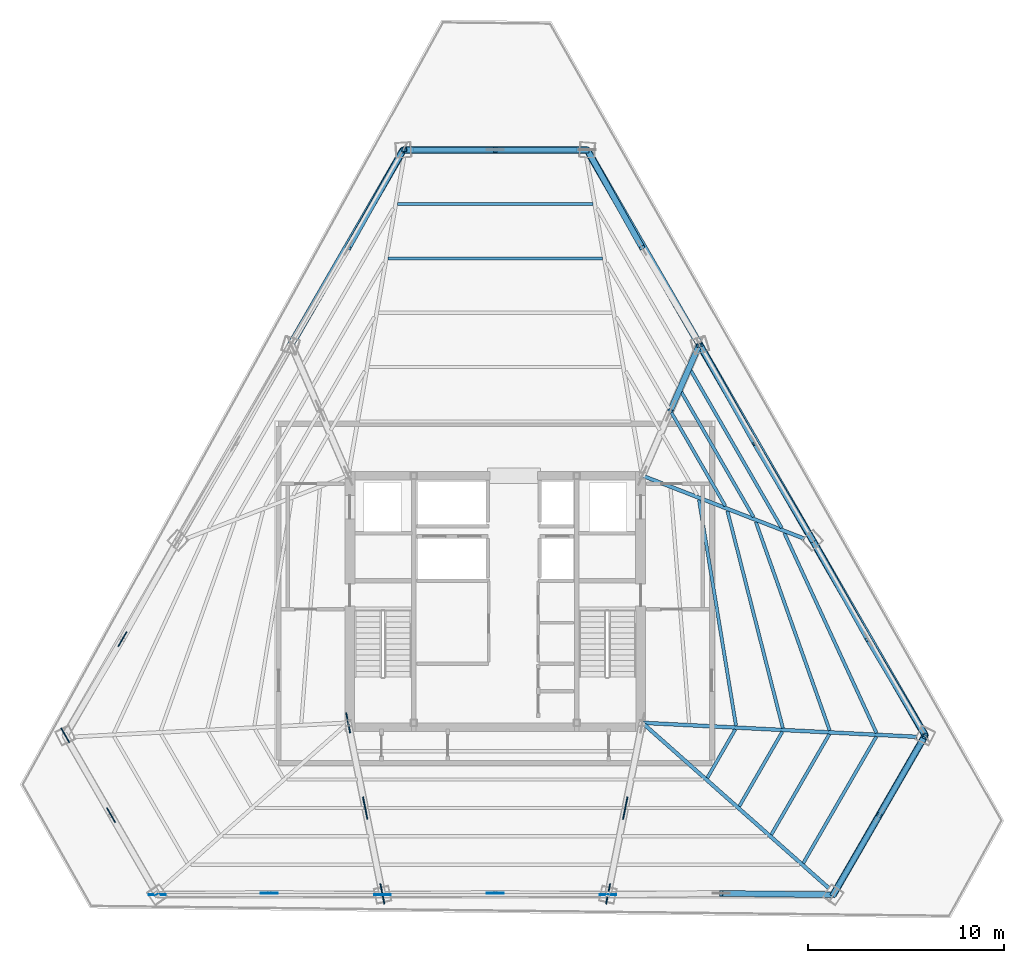
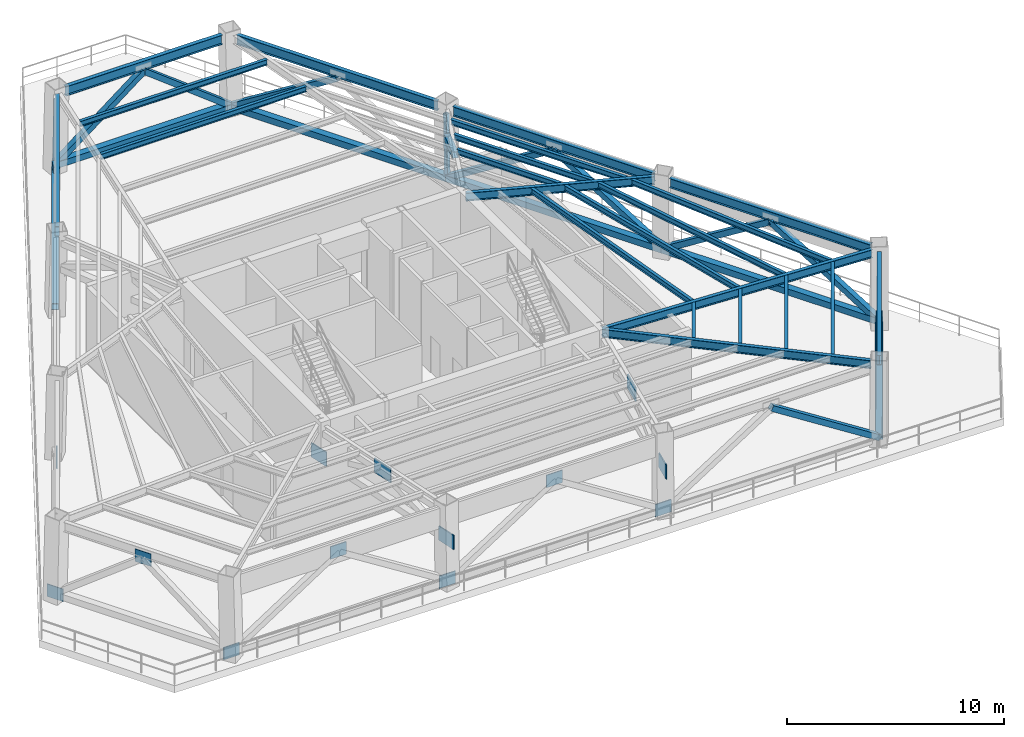
# One storey, part 4 of 10: 22 beams, 21 members, 13 plates.
"""IFC4 building model written with IfcOpenShell, lengths in metres."""

from ifc_helpers import new_model, si_unit, direction, frame, origin, origin_2d, place, context, subcontext, project, spatial, rectangle, hollow_rectangle, i_section, extrude, source, transform, mapped, material, layer, layer_set, material_profile, profile_set, type_object, type_shapes, element, save


model = new_model("IFC4")

# Units and contexts
model_context = context("Model", 3, precision=1e-05, world=origin(), true_north=direction((0.0, 1.0)))
body_context = subcontext(model_context, "Body", "Model", "MODEL_VIEW")
ifc_project = project(units=[si_unit("LENGTHUNIT", "METRE"), si_unit("AREAUNIT", "SQUARE_METRE"), si_unit("VOLUMEUNIT", "CUBIC_METRE"), si_unit("PLANEANGLEUNIT", "RADIAN"), si_unit("MASSUNIT", "GRAM", prefix="KILO")], contexts=[model_context])

# Site, building, storey
site_placement = place(None, origin())
site = spatial("IfcSite", under=ifc_project, at=site_placement, CompositionType="ELEMENT")
building_placement = place(site_placement, origin())
building = spatial("IfcBuilding", under=site, at=building_placement, Name="Caelisora Broadcast Tower", CompositionType="ELEMENT")
storey_placement = place(building_placement, frame((0.0, 0.0, 220.550048828125)))
storey = spatial("IfcBuildingStorey", under=building, at=storey_placement, Name="L58", CompositionType="ELEMENT", Elevation=220.550048828125)

# Members
ifc_material_1 = material(Name="Steel Grade 350 (AS/NZS 1163 C350L0)", Category="steel")
ifc_material_profile_1 = material_profile(ifc_material_1, hollow_rectangle(XDim=0.199951171875, YDim=0.199951171875, WallThickness=0.009033203125, at=origin_2d()), Name="Steel Grade 350 (AS/NZS 1163 C350L0)")
ifc_profile_set_1 = profile_set([ifc_material_profile_1], Name="Steel Grade 350 (AS/NZS 1163 C350L0)")
member_type_1 = type_object("IfcMemberType", Name="TR14", PredefinedType="POST", material=ifc_profile_set_1)
shared_shape_1 = source(origin(), body_context, "Body", "SweptSolid", [
    extrude(hollow_rectangle(XDim=0.199951171875, YDim=0.199951171875, WallThickness=0.009033203125, at=origin_2d()), origin(), (0.0, 0.0, 1.0), 3.62109375),
])
for number, where, z_axis, x_axis, name in (
    (1, (33.305908203125, 46.6123046875, 0.349853515625), (0.0239342972, 0.001752934443, 0.999711996846), (-0.073043794618, 0.997328734203, 0.0), "L58 transfer post TR14"),
    (2, (59.9296875, 16.759033203125, 0.349853515625), (-0.010382779351, -0.021574606443, 0.999713326034), (0.90108318281, -0.433646281728, 0.0), "L58 transfer post TR14"),
):
    element("IfcMember", number, at=place(storey_placement, frame(where, z_axis=z_axis, x_axis=x_axis)), inside=storey, type_object=member_type_1, Name=name, PredefinedType="POST", context=body_context, shape_type="MappedRepresentation", body=[
        mapped(shared_shape_1, transform((0.0, 0.0, 0.0), scale=1.0)),
    ])
shared_shape_2 = source(origin(), body_context, "Body", "SweptSolid", [
    extrude(hollow_rectangle(XDim=0.199951171875, YDim=0.199951171875, WallThickness=0.009033203125, at=origin_2d()), origin(), (0.0, 0.0, 1.0), 3.620849609375),
])
type_shapes(member_type_1, [shared_shape_1, shared_shape_2])
member_1_placement = place(storey_placement, frame((48.439208984375, 36.6611328125, 0.349853515625), z_axis=(-0.019418701638, -0.006000918215, 0.999793430168), x_axis=(0.295251213444, -0.955419656988, 0.0)))
element("IfcMember", 3, at=member_1_placement, inside=storey, type_object=member_type_1, Name="L58 transfer post TR14", PredefinedType="POST", context=body_context, shape_type="MappedRepresentation", body=[
    mapped(shared_shape_2, transform((0.0, 0.0, 0.0), scale=1.0)),
])

# Beams
ifc_material_2 = material(Name="Steel Grade 350 (AS/NZS 3679.1)", Category="steel")
ifc_material_profile_2 = material_profile(ifc_material_2, i_section(OverallWidth=0.208984375, OverallDepth=0.532958984375, WebThickness=0.01025390625, FlangeThickness=0.015625, at=origin_2d()), Name="Steel Grade 350 (AS/NZS 3679.1)")
ifc_profile_set_2 = profile_set([ifc_material_profile_2], Name="Steel Grade 350 (AS/NZS 3679.1)")
beam_type_1 = type_object("IfcBeamType", Name="PG05", PredefinedType="BEAM", material=ifc_profile_set_2)
shared_shape_3 = source(origin(), body_context, "Body", "SweptSolid", [
    extrude(i_section(OverallWidth=0.208984375, OverallDepth=0.532958984375, WebThickness=0.01025390625, FlangeThickness=0.015625, at=origin_2d()), origin(), (0.0, 0.0, 1.0), 8.34326171875),
])
for number, where, z_axis, x_axis, name in (
    (4, (42.171630859375, 46.6201171875, 4.283447265625), (-1.0, 0.0, 0.0), (0.0, -1.0, 0.0), "L58 beam PG05"),
    (5, (55.503662109375, 9.0771484375, 4.283447265625), (0.499994325412, 0.866028679985, 0.0), (-0.866028679985, 0.499994325412, 0.0), "L58 beam PG05"),
):
    element("IfcBeam", number, at=place(storey_placement, frame(where, z_axis=z_axis, x_axis=x_axis)), inside=storey, type_object=beam_type_1, Name=name, PredefinedType="BEAM", context=body_context, shape_type="MappedRepresentation", body=[
        mapped(shared_shape_3, transform((0.0, 0.0, 0.0), scale=1.0)),
    ])
shared_shape_4 = source(origin(), body_context, "Body", "SweptSolid", [
    extrude(i_section(OverallWidth=0.208984375, OverallDepth=0.532958984375, WebThickness=0.01025390625, FlangeThickness=0.015625, at=origin_2d()), origin(), (0.0, 0.0, 1.0), 10.698486328125),
])
for number, where, z_axis, x_axis, name in (
    (6, (33.204345703125, 46.259765625, 4.283447265625), (-0.5000095379, -0.866019897006, 0.0), (0.866019897006, -0.5000095379, 0.0), "L58 beam PG05"),
    (7, (53.91015625, 27.009033203125, 4.283447265625), (-0.5000095379, 0.866019897006, 0.0), (-0.866019897006, -0.5000095379, 0.0), "L58 beam PG05"),
    (8, (48.14501953125, 36.99462890625, 4.283447265625), (-0.5000095379, 0.866019897006, 0.0), (-0.866019897006, -0.5000095379, 0.0), "L58 beam PG05"),
):
    element("IfcBeam", number, at=place(storey_placement, frame(where, z_axis=z_axis, x_axis=x_axis)), inside=storey, type_object=beam_type_1, Name=name, PredefinedType="BEAM", context=body_context, shape_type="MappedRepresentation", body=[
        mapped(shared_shape_4, transform((0.0, 0.0, 0.0), scale=1.0)),
    ])
shared_shape_5 = source(origin(), body_context, "Body", "SweptSolid", [
    extrude(i_section(OverallWidth=0.208984375, OverallDepth=0.532958984375, WebThickness=0.01025390625, FlangeThickness=0.015625, at=origin_2d()), origin(), (0.0, 0.0, 1.0), 10.6982421875),
])
type_shapes(beam_type_1, [shared_shape_3, shared_shape_4, shared_shape_5])
beam_1_placement = place(storey_placement, frame((59.67529296875, 17.0234375, 4.283447265625), z_axis=(-0.500002304342, 0.866024073368, 0.0), x_axis=(-0.866024073368, -0.500002304342, 0.0)))
element("IfcBeam", 9, at=beam_1_placement, inside=storey, type_object=beam_type_1, Name="L58 beam PG05", PredefinedType="BEAM", context=body_context, shape_type="MappedRepresentation", body=[
    mapped(shared_shape_5, transform((0.0, 0.0, 0.0), scale=1.0)),
])
ifc_material_profile_3 = material_profile(ifc_material_2, i_section(OverallWidth=0.19091796875, OverallDepth=0.46044921875, WebThickness=0.010009765625, FlangeThickness=0.01611328125, at=origin_2d()), Name="Steel Grade 350 (AS/NZS 3679.1)")
ifc_profile_set_3 = profile_set([ifc_material_profile_3], Name="Steel Grade 350 (AS/NZS 3679.1)")
beam_type_2 = type_object("IfcBeamType", Name="PG06", PredefinedType="BEAM", material=ifc_profile_set_3)
shared_shape_6 = source(origin(), body_context, "Body", "SweptSolid", [
    extrude(i_section(OverallWidth=0.19091796875, OverallDepth=0.46044921875, WebThickness=0.010009765625, FlangeThickness=0.01611328125, at=origin_2d()), origin(), (0.0, 0.0, 1.0), 8.81103515625),
])
beam_2_placement = place(storey_placement, frame((45.555908203125, 29.978271484375, 4.31982421875), z_axis=(0.932010911439, -0.362430215294, 0.0), x_axis=(0.362430215294, 0.932010911439, 0.0)))
element("IfcBeam", 10, at=beam_2_placement, inside=storey, type_object=beam_type_2, Name="L58 beam PG06", PredefinedType="BEAM", context=body_context, shape_type="MappedRepresentation", body=[
    mapped(shared_shape_6, transform((0.0, 0.0, 0.0), scale=1.0)),
])
shared_shape_7 = source(origin(), body_context, "Body", "SweptSolid", [
    extrude(i_section(OverallWidth=0.19091796875, OverallDepth=0.46044921875, WebThickness=0.010009765625, FlangeThickness=0.01611328125, at=origin_2d()), origin(), (0.0, 0.0, 1.0), 13.96630859375),
])
beam_3_placement = place(storey_placement, frame((45.559814453125, 17.39697265625, 4.31982421875), z_axis=(0.998690161169, -0.05116602373, 0.0), x_axis=(0.05116602373, 0.998690161169, 0.0)))
element("IfcBeam", 11, at=beam_3_placement, inside=storey, type_object=beam_type_2, Name="L58 beam PG06", PredefinedType="BEAM", context=body_context, shape_type="MappedRepresentation", body=[
    mapped(shared_shape_7, transform((0.0, 0.0, 0.0), scale=1.0)),
])
shared_shape_8 = source(origin(), body_context, "Body", "SweptSolid", [
    extrude(i_section(OverallWidth=0.19091796875, OverallDepth=0.46044921875, WebThickness=0.010009765625, FlangeThickness=0.01611328125, at=origin_2d()), origin(), (0.0, 0.0, 1.0), 12.654052734375),
])
type_shapes(beam_type_2, [shared_shape_6, shared_shape_7, shared_shape_8])
beam_4_placement = place(storey_placement, frame((45.544921875, 17.360107421875, 4.31982421875), z_axis=(0.748331485363, -0.663324949036, 0.0), x_axis=(0.663324949036, 0.748331485363, 0.0)))
element("IfcBeam", 12, at=beam_4_placement, inside=storey, type_object=beam_type_2, Name="L58 beam PG06", PredefinedType="BEAM", context=body_context, shape_type="MappedRepresentation", body=[
    mapped(shared_shape_8, transform((0.0, 0.0, 0.0), scale=1.0)),
])
ifc_material_profile_4 = material_profile(ifc_material_2, i_section(OverallWidth=0.166015625, OverallDepth=0.30712890625, WebThickness=0.006591796875, FlangeThickness=0.01171875, at=origin_2d()), Name="Steel Grade 350 (AS/NZS 3679.1)")
ifc_profile_set_4 = profile_set([ifc_material_profile_4], Name="Steel Grade 350 (AS/NZS 3679.1)")
beam_type_3 = type_object("IfcBeamType", Name="SB03", PredefinedType="JOIST", material=ifc_profile_set_4)
shared_shape_9 = source(origin(), body_context, "Body", "SweptSolid", [
    extrude(i_section(OverallWidth=0.166015625, OverallDepth=0.30712890625, WebThickness=0.006591796875, FlangeThickness=0.01171875, at=origin_2d()), origin(), (0.0, 0.0, 1.0), 10.92919921875),
])
beam_5_placement = place(storey_placement, frame((43.464599609375, 41.080078125, 4.396240234375), z_axis=(-1.0, 0.0, 0.0), x_axis=(0.0, -1.0, 0.0)))
element("IfcBeam", 13, at=beam_5_placement, inside=storey, type_object=beam_type_3, Name="L58 beam SB03", PredefinedType="JOIST", context=body_context, shape_type="MappedRepresentation", body=[
    mapped(shared_shape_9, transform((0.0, 0.0, 0.0), scale=1.0)),
])
shared_shape_10 = source(origin(), body_context, "Body", "SweptSolid", [
    extrude(i_section(OverallWidth=0.166015625, OverallDepth=0.30712890625, WebThickness=0.006591796875, FlangeThickness=0.01171875, at=origin_2d()), origin(), (0.0, 0.0, 1.0), 9.9580078125),
])
beam_6_placement = place(storey_placement, frame((42.97900390625, 43.85009765625, 4.396240234375), z_axis=(-1.0, 0.0, 0.0), x_axis=(0.0, -1.0, 0.0)))
element("IfcBeam", 14, at=beam_6_placement, inside=storey, type_object=beam_type_3, Name="L58 beam SB03", PredefinedType="JOIST", context=body_context, shape_type="MappedRepresentation", body=[
    mapped(shared_shape_10, transform((0.0, 0.0, 0.0), scale=1.0)),
])
shared_shape_11 = source(origin(), body_context, "Body", "SweptSolid", [
    extrude(i_section(OverallWidth=0.166015625, OverallDepth=0.30712890625, WebThickness=0.006591796875, FlangeThickness=0.01171875, at=origin_2d()), origin(), (0.0, 0.0, 1.0), 5.49951171875),
])
beam_7_placement = place(storey_placement, frame((49.734375, 28.453857421875, 4.396240234375), z_axis=(-0.500001696333, 0.866024424404, 0.0), x_axis=(-0.866024424404, -0.500001696333, 0.0)))
element("IfcBeam", 15, at=beam_7_placement, inside=storey, type_object=beam_type_3, Name="L58 beam SB03", PredefinedType="JOIST", context=body_context, shape_type="MappedRepresentation", body=[
    mapped(shared_shape_11, transform((0.0, 0.0, 0.0), scale=1.0)),
])
shared_shape_12 = source(origin(), body_context, "Body", "SweptSolid", [
    extrude(i_section(OverallWidth=0.166015625, OverallDepth=0.30712890625, WebThickness=0.006591796875, FlangeThickness=0.01171875, at=origin_2d()), origin(), (0.0, 0.0, 1.0), 7.421142578125),
])
beam_8_placement = place(storey_placement, frame((51.170654296875, 27.8955078125, 4.396240234375), z_axis=(-0.500020516373, 0.866013558327, 0.0), x_axis=(-0.866013558327, -0.500020516373, 0.0)))
element("IfcBeam", 16, at=beam_8_placement, inside=storey, type_object=beam_type_3, Name="L58 beam SB03", PredefinedType="JOIST", context=body_context, shape_type="MappedRepresentation", body=[
    mapped(shared_shape_12, transform((0.0, 0.0, 0.0), scale=1.0)),
])
shared_shape_13 = source(origin(), body_context, "Body", "SweptSolid", [
    extrude(i_section(OverallWidth=0.166015625, OverallDepth=0.30712890625, WebThickness=0.006591796875, FlangeThickness=0.01171875, at=origin_2d()), origin(), (0.0, 0.0, 1.0), 9.3427734375),
])
beam_9_placement = place(storey_placement, frame((52.60693359375, 27.3369140625, 4.396240234375), z_axis=(-0.500000680637, 0.866025010818, 0.0), x_axis=(-0.866025010818, -0.500000680637, 0.0)))
element("IfcBeam", 17, at=beam_9_placement, inside=storey, type_object=beam_type_3, Name="L58 beam SB03", PredefinedType="JOIST", context=body_context, shape_type="MappedRepresentation", body=[
    mapped(shared_shape_13, transform((0.0, 0.0, 0.0), scale=1.0)),
])
shared_shape_14 = source(origin(), body_context, "Body", "SweptSolid", [
    extrude(i_section(OverallWidth=0.166015625, OverallDepth=0.30712890625, WebThickness=0.006591796875, FlangeThickness=0.01171875, at=origin_2d()), origin(), (0.0, 0.0, 1.0), 11.682373046875),
])
beam_10_placement = place(storey_placement, frame((50.279296875, 17.247802734375, 4.396240234375), z_axis=(-0.161710969993, 0.98683816413, 0.0), x_axis=(-0.98683816413, -0.161710969993, 0.0)))
element("IfcBeam", 18, at=beam_10_placement, inside=storey, type_object=beam_type_3, Name="L58 beam SB03", PredefinedType="JOIST", context=body_context, shape_type="MappedRepresentation", body=[
    mapped(shared_shape_14, transform((0.0, 0.0, 0.0), scale=1.0)),
])
shared_shape_15 = source(origin(), body_context, "Body", "SweptSolid", [
    extrude(i_section(OverallWidth=0.166015625, OverallDepth=0.30712890625, WebThickness=0.006591796875, FlangeThickness=0.01171875, at=origin_2d()), origin(), (0.0, 0.0, 1.0), 11.443359375),
])
beam_11_placement = place(storey_placement, frame((52.667724609375, 17.12548828125, 4.396240234375), z_axis=(-0.24733168108, 0.968930874487, 0.0), x_axis=(-0.968930874487, -0.24733168108, 0.0)))
element("IfcBeam", 19, at=beam_11_placement, inside=storey, type_object=beam_type_3, Name="L58 beam SB03", PredefinedType="JOIST", context=body_context, shape_type="MappedRepresentation", body=[
    mapped(shared_shape_15, transform((0.0, 0.0, 0.0), scale=1.0)),
])
shared_shape_16 = source(origin(), body_context, "Body", "SweptSolid", [
    extrude(i_section(OverallWidth=0.166015625, OverallDepth=0.30712890625, WebThickness=0.006591796875, FlangeThickness=0.01171875, at=origin_2d()), origin(), (0.0, 0.0, 1.0), 11.2939453125),
])
beam_12_placement = place(storey_placement, frame((55.055419921875, 17.00341796875, 4.396240234375), z_axis=(-0.333703079964, 0.94267823483, 0.0), x_axis=(-0.94267823483, -0.333703079964, 0.0)))
element("IfcBeam", 20, at=beam_12_placement, inside=storey, type_object=beam_type_3, Name="L58 beam SB03", PredefinedType="JOIST", context=body_context, shape_type="MappedRepresentation", body=[
    mapped(shared_shape_16, transform((0.0, 0.0, 0.0), scale=1.0)),
])
shared_shape_17 = source(origin(), body_context, "Body", "SweptSolid", [
    extrude(i_section(OverallWidth=0.166015625, OverallDepth=0.30712890625, WebThickness=0.006591796875, FlangeThickness=0.01171875, at=origin_2d()), origin(), (0.0, 0.0, 1.0), 11.236328125),
])
beam_13_placement = place(storey_placement, frame((57.4423828125, 16.881103515625, 4.396240234375), z_axis=(-0.418673716148, 0.908136729467, 0.0), x_axis=(-0.908136729467, -0.418673716148, 0.0)))
element("IfcBeam", 21, at=beam_13_placement, inside=storey, type_object=beam_type_3, Name="L58 beam SB03", PredefinedType="JOIST", context=body_context, shape_type="MappedRepresentation", body=[
    mapped(shared_shape_17, transform((0.0, 0.0, 0.0), scale=1.0)),
])
shared_shape_18 = source(origin(), body_context, "Body", "SweptSolid", [
    extrude(i_section(OverallWidth=0.166015625, OverallDepth=0.30712890625, WebThickness=0.006591796875, FlangeThickness=0.01171875, at=origin_2d()), origin(), (0.0, 0.0, 1.0), 2.85986328125),
])
beam_14_placement = place(storey_placement, frame((48.8125, 14.58740234375, 4.396240234375), z_axis=(0.499986011877, 0.866033479681, 0.0), x_axis=(-0.866033479681, 0.499986011877, 0.0)))
element("IfcBeam", 22, at=beam_14_placement, inside=storey, type_object=beam_type_3, Name="L58 beam SB03", PredefinedType="JOIST", context=body_context, shape_type="MappedRepresentation", body=[
    mapped(shared_shape_18, transform((0.0, 0.0, 0.0), scale=1.0)),
])
shared_shape_19 = source(origin(), body_context, "Body", "SweptSolid", [
    extrude(i_section(OverallWidth=0.166015625, OverallDepth=0.30712890625, WebThickness=0.006591796875, FlangeThickness=0.01171875, at=origin_2d()), origin(), (0.0, 0.0, 1.0), 4.38916015625),
])
beam_15_placement = place(storey_placement, frame((50.445068359375, 13.140380859375, 4.396240234375), z_axis=(0.500009747863, 0.86601977578, 0.0), x_axis=(-0.86601977578, 0.500009747863, 0.0)))
element("IfcBeam", 23, at=beam_15_placement, inside=storey, type_object=beam_type_3, Name="L58 beam SB03", PredefinedType="JOIST", context=body_context, shape_type="MappedRepresentation", body=[
    mapped(shared_shape_19, transform((0.0, 0.0, 0.0), scale=1.0)),
])
shared_shape_20 = source(origin(), body_context, "Body", "SweptSolid", [
    extrude(i_section(OverallWidth=0.166015625, OverallDepth=0.30712890625, WebThickness=0.006591796875, FlangeThickness=0.01171875, at=origin_2d()), origin(), (0.0, 0.0, 1.0), 5.91845703125),
])
beam_16_placement = place(storey_placement, frame((52.07763671875, 11.693115234375, 4.396240234375), z_axis=(0.500003355207, 0.866023466646, 0.0), x_axis=(-0.866023466646, 0.500003355207, 0.0)))
element("IfcBeam", 24, at=beam_16_placement, inside=storey, type_object=beam_type_3, Name="L58 beam SB03", PredefinedType="JOIST", context=body_context, shape_type="MappedRepresentation", body=[
    mapped(shared_shape_20, transform((0.0, 0.0, 0.0), scale=1.0)),
])
shared_shape_21 = source(origin(), body_context, "Body", "SweptSolid", [
    extrude(i_section(OverallWidth=0.166015625, OverallDepth=0.30712890625, WebThickness=0.006591796875, FlangeThickness=0.01171875, at=origin_2d()), origin(), (0.0, 0.0, 1.0), 7.44775390625),
])
type_shapes(beam_type_3, [shared_shape_9, shared_shape_10, shared_shape_11, shared_shape_12, shared_shape_13, shared_shape_14, shared_shape_15, shared_shape_16, shared_shape_17, shared_shape_18, shared_shape_19, shared_shape_20, shared_shape_21])
beam_17_placement = place(storey_placement, frame((53.710205078125, 10.245849609375, 4.396240234375), z_axis=(0.499999587908, 0.866025641706, 0.0), x_axis=(-0.866025641706, 0.499999587908, 0.0)))
element("IfcBeam", 25, at=beam_17_placement, inside=storey, type_object=beam_type_3, Name="L58 beam SB03", PredefinedType="JOIST", context=body_context, shape_type="MappedRepresentation", body=[
    mapped(shared_shape_21, transform((0.0, 0.0, 0.0), scale=1.0)),
])

# Members
ifc_material_profile_5 = material_profile(ifc_material_1, hollow_rectangle(XDim=0.300048828125, YDim=0.300048828125, WallThickness=0.012451171875, at=origin_2d()), Name="Steel Grade 350 (AS/NZS 1163 C350L0)")
ifc_profile_set_5 = profile_set([ifc_material_profile_5], Name="Steel Grade 350 (AS/NZS 1163 C350L0)")
member_type_2 = type_object("IfcMemberType", Name="OR06", PredefinedType="STRUT", material=ifc_profile_set_5)
shared_shape_22 = source(origin(), body_context, "Body", "SweptSolid", [
    extrude(hollow_rectangle(XDim=0.300048828125, YDim=0.300048828125, WallThickness=0.012451171875, at=origin_2d()), origin(), (0.0, 0.0, 1.0), 3.9130859375),
])
member_2_placement = place(storey_placement, frame((46.93310546875, 33.319091796875, 4.1298828125), z_axis=(0.373336022426, 0.850487409376, -0.370528515572), x_axis=(-0.915663325894, 0.401946107846, 0.0)))
element("IfcMember", 26, at=member_2_placement, inside=storey, type_object=member_type_2, Name="L58 outrigger diagonal OR06", PredefinedType="STRUT", context=body_context, shape_type="MappedRepresentation", body=[
    mapped(shared_shape_22, transform((0.0, 0.0, 0.0), scale=1.0)),
])
ifc_material_profile_6 = material_profile(ifc_material_1, hollow_rectangle(XDim=0.35009765625, YDim=0.35009765625, WallThickness=0.01611328125, at=origin_2d()), Name="Steel Grade 350 (AS/NZS 1163 C350L0)")
ifc_profile_set_6 = profile_set([ifc_material_profile_6], Name="Steel Grade 350 (AS/NZS 1163 C350L0)")
member_type_3 = type_object("IfcMemberType", Name="OR05", PredefinedType="CHORD", material=ifc_profile_set_6)
shared_shape_23 = source(origin(), body_context, "Body", "SweptSolid", [
    extrude(hollow_rectangle(XDim=0.35009765625, YDim=0.35009765625, WallThickness=0.01611328125, at=origin_2d()), origin(), (0.0, 0.0, 1.0), 9.38818359375),
])
member_3_placement = place(storey_placement, frame((42.694091796875, 46.6123046875, 0.349853515625), z_axis=(-1.0, 0.0, 0.0), x_axis=(0.0, -1.0, 0.0)))
element("IfcMember", 27, at=member_3_placement, inside=storey, type_object=member_type_3, Name="L58 belt chord OR05", PredefinedType="CHORD", context=body_context, shape_type="MappedRepresentation", body=[
    mapped(shared_shape_23, transform((0.0, 0.0, 0.0), scale=1.0)),
])
shared_shape_24 = source(origin(), body_context, "Body", "SweptSolid", [
    extrude(hollow_rectangle(XDim=0.300048828125, YDim=0.300048828125, WallThickness=0.012451171875, at=origin_2d()), origin(), (0.0, 0.0, 1.0), 5.927978515625),
])
for number, where, z_axis, x_axis, name in (
    (28, (42.694091796875, 46.6123046875, 0.349853515625), (-0.791866588153, 0.001070813507, 0.610693179858), (-0.001352263808, -0.999999085691, 0.0), "L58 belt diagonal OR06"),
    (29, (33.305908203125, 46.6123046875, 0.349853515625), (0.791866588153, 0.001070813507, 0.610693179858), (-0.001352263808, 0.999999085691, 0.0), "L58 belt diagonal OR06"),
    (30, (55.235595703125, 8.62890625, 0.349853515625), (0.396895554364, 0.685228622341, 0.610684578199), (-0.865325379151, 0.501210522832, 0.0), "L58 belt diagonal OR06"),
):
    element("IfcMember", number, at=place(storey_placement, frame(where, z_axis=z_axis, x_axis=x_axis)), inside=storey, type_object=member_type_2, Name=name, PredefinedType="STRUT", context=body_context, shape_type="MappedRepresentation", body=[
        mapped(shared_shape_24, transform((0.0, 0.0, 0.0), scale=1.0)),
    ])
shared_shape_25 = source(origin(), body_context, "Body", "SweptSolid", [
    extrude(hollow_rectangle(XDim=0.35009765625, YDim=0.35009765625, WallThickness=0.01611328125, at=origin_2d()), origin(), (0.0, 0.0, 1.0), 11.490478515625),
])
for number, where, z_axis, x_axis, name in (
    (31, (33.305908203125, 46.6123046875, 0.349853515625), (-0.499987299922, -0.866032736054, 0.0), (0.866032736054, -0.499987299922, 0.0), "L58 belt chord OR05"),
    (32, (59.9296875, 16.759033203125, 0.349853515625), (-0.499987299922, 0.866032736054, 0.0), (-0.866032736054, -0.499987299922, 0.0), "L58 belt chord OR05"),
    (33, (54.1845703125, 26.710205078125, 0.349853515625), (-0.500012435637, 0.866018223947, 0.0), (-0.866018223947, -0.500012435637, 0.0), "L58 belt chord OR05"),
    (34, (48.439208984375, 36.6611328125, 0.349853515625), (-0.499987299922, 0.866032736054, 0.0), (-0.866032736054, -0.499987299922, 0.0), "L58 belt chord OR05"),
):
    element("IfcMember", number, at=place(storey_placement, frame(where, z_axis=z_axis, x_axis=x_axis)), inside=storey, type_object=member_type_3, Name=name, PredefinedType="CHORD", context=body_context, shape_type="MappedRepresentation", body=[
        mapped(shared_shape_25, transform((0.0, 0.0, 0.0), scale=1.0)),
    ])
shared_shape_26 = source(origin(), body_context, "Body", "SweptSolid", [
    extrude(hollow_rectangle(XDim=0.300048828125, YDim=0.300048828125, WallThickness=0.012451171875, at=origin_2d()), origin(), (0.0, 0.0, 1.0), 6.763671875),
])
for number, where, z_axis, x_axis, name in (
    (35, (33.305908203125, 46.6123046875, 0.349853515625), (-0.413118386684, -0.736790957535, 0.53523105616), (0.872245752729, -0.489067834606, 0.0), "L58 belt diagonal OR06"),
    (36, (59.9296875, 16.759033203125, 0.349853515625), (-0.431492846286, 0.726181452366, 0.535233053767), (-0.85968703903, -0.510821098746, 0.0), "L58 belt diagonal OR06"),
    (37, (42.694091796875, 46.6123046875, 0.349853515625), (0.413118386684, -0.736790957535, 0.53523105616), (0.872245752729, 0.489067834606, 0.0), "L58 belt diagonal OR06"),
):
    element("IfcMember", number, at=place(storey_placement, frame(where, z_axis=z_axis, x_axis=x_axis)), inside=storey, type_object=member_type_2, Name=name, PredefinedType="STRUT", context=body_context, shape_type="MappedRepresentation", body=[
        mapped(shared_shape_26, transform((0.0, 0.0, 0.0), scale=1.0)),
    ])
shared_shape_27 = source(origin(), body_context, "Body", "SweptSolid", [
    extrude(hollow_rectangle(XDim=0.300048828125, YDim=0.300048828125, WallThickness=0.012451171875, at=origin_2d()), origin(), (0.0, 0.0, 1.0), 6.818603515625),
])
member_4_placement = place(storey_placement, frame((54.1845703125, 26.710205078125, 0.349853515625), z_axis=(0.414555756347, -0.739096555754, 0.530923540777), x_axis=(0.872172941146, 0.489197670409, 0.0)))
element("IfcMember", 38, at=member_4_placement, inside=storey, type_object=member_type_2, Name="L58 belt diagonal OR06", PredefinedType="STRUT", context=body_context, shape_type="MappedRepresentation", body=[
    mapped(shared_shape_27, transform((0.0, 0.0, 0.0), scale=1.0)),
])
shared_shape_28 = source(origin(), body_context, "Body", "SweptSolid", [
    extrude(hollow_rectangle(XDim=0.300048828125, YDim=0.300048828125, WallThickness=0.012451171875, at=origin_2d()), origin(), (0.0, 0.0, 1.0), 6.791015625),
])
for number, where, z_axis, x_axis, name in (
    (39, (54.1845703125, 26.710205078125, 0.349853515625), (-0.432156191287, 0.727378439258, 0.533068131138), (-0.859711898902, -0.510779258474, 0.0), "L58 belt diagonal OR06"),
    (40, (48.439208984375, 36.6611328125, 0.349853515625), (0.413867192719, -0.737928943515, 0.533080501532), (0.872189912853, 0.489167410931, 0.0), "L58 belt diagonal OR06"),
):
    element("IfcMember", number, at=place(storey_placement, frame(where, z_axis=z_axis, x_axis=x_axis)), inside=storey, type_object=member_type_2, Name=name, PredefinedType="STRUT", context=body_context, shape_type="MappedRepresentation", body=[
        mapped(shared_shape_28, transform((0.0, 0.0, 0.0), scale=1.0)),
    ])
shared_shape_29 = source(origin(), body_context, "Body", "SweptSolid", [
    extrude(hollow_rectangle(XDim=0.35009765625, YDim=0.35009765625, WallThickness=0.01611328125, at=origin_2d()), origin(), (0.0, 0.0, 1.0), 9.387939453125),
])
type_shapes(member_type_3, [shared_shape_23, shared_shape_25, shared_shape_29])
member_5_placement = place(storey_placement, frame((55.235595703125, 8.62890625, 0.349853515625), z_axis=(0.500012847165, 0.866017986343, 0.0), x_axis=(-0.866017986343, 0.500012847165, 0.0)))
element("IfcMember", 41, at=member_5_placement, inside=storey, type_object=member_type_3, Name="L58 belt chord OR05", PredefinedType="CHORD", context=body_context, shape_type="MappedRepresentation", body=[
    mapped(shared_shape_29, transform((0.0, 0.0, 0.0), scale=1.0)),
])
shared_shape_30 = source(origin(), body_context, "Body", "SweptSolid", [
    extrude(hollow_rectangle(XDim=0.300048828125, YDim=0.300048828125, WallThickness=0.012451171875, at=origin_2d()), origin(), (0.0, 0.0, 1.0), 5.927490234375),
])
member_6_placement = place(storey_placement, frame((59.9296875, 16.759033203125, 0.349853515625), z_axis=(-0.394983712774, -0.686299646085, 0.610721427843), x_axis=(0.866709002277, -0.498814099012, 0.0)))
element("IfcMember", 42, at=member_6_placement, inside=storey, type_object=member_type_2, Name="L58 belt diagonal OR06", PredefinedType="STRUT", context=body_context, shape_type="MappedRepresentation", body=[
    mapped(shared_shape_30, transform((0.0, 0.0, 0.0), scale=1.0)),
])
shared_shape_31 = source(origin(), body_context, "Body", "SweptSolid", [
    extrude(hollow_rectangle(XDim=0.300048828125, YDim=0.300048828125, WallThickness=0.012451171875, at=origin_2d()), origin(), (0.0, 0.0, 1.0), 6.763427734375),
])
type_shapes(member_type_2, [shared_shape_22, shared_shape_24, shared_shape_26, shared_shape_27, shared_shape_28, shared_shape_30, shared_shape_31])
member_7_placement = place(storey_placement, frame((55.235595703125, 8.62890625, 0.349853515625), z_axis=(-0.844630927667, 0.010576386248, 0.535244557265), x_axis=(-0.012520921056, -0.999921610195, 0.0)))
element("IfcMember", 43, at=member_7_placement, inside=storey, type_object=member_type_2, Name="L58 belt diagonal OR06", PredefinedType="STRUT", context=body_context, shape_type="MappedRepresentation", body=[
    mapped(shared_shape_31, transform((0.0, 0.0, 0.0), scale=1.0)),
])

# Plates
ifc_material_3 = material(Name="Steel Grade 350 L15 (AS/NZS 3678)", Category="steel")
ifc_layer_1 = layer(ifc_material_3, 0.050048828125, Name="Steel Grade 350 L15 (AS/NZS 3678)")
ifc_layer_set_1 = layer_set([ifc_layer_1], Name="Steel Grade 350 L15 (AS/NZS 3678)")
plate_type_1 = type_object("IfcPlateType", Name="GP03", PredefinedType="USERDEFINED", material=ifc_layer_set_1)
shared_shape_32 = source(origin(), body_context, "Body", "SweptSolid", [
    extrude(rectangle(XDim=0.85009765625, YDim=0.050048828125, at=origin_2d()), origin(), (0.0, 0.0, 1.0), 0.699951171875),
])
type_shapes(plate_type_1, [shared_shape_32])
for number, where, z_axis, x_axis, name in (
    (44, (18.98876953125, 21.670654296875, 3.6201171875), (0.0, 0.0, 1.0), (-0.5, -0.866025403784, 0.0), "L58 gusset plate GP03 (ND-BT-L58-04M)"),
    (45, (16.0703125, 16.759033203125, 0.0), (0.0, 0.0, 1.0), (0.5, -0.866025403784, 0.0), "L58 gusset plate GP03 (ND-BT-L58-05B)"),
    (46, (18.41162109375, 12.69091796875, 3.6201171875), (0.0, 0.0, 1.0), (0.5, -0.866025403784, 0.0), "L58 gusset plate GP03 (ND-BT-L58-05M)"),
    (47, (20.764404296875, 8.62890625, 0.0), (0.0, 0.0, 1.0), (1.0, 0.0, 0.0), "L58 gusset plate GP03 (ND-BT-L58-06B)"),
    (48, (26.47705078125, 8.700439453125, 3.6201171875), (0.0, 0.0, 1.0), (1.0, 0.0, 0.0), "L58 gusset plate GP03 (ND-BT-L58-06M)"),
    (49, (32.2548828125, 8.62890625, 0.0), (0.0, 0.0, 1.0), (1.0, 0.0, 0.0), "L58 gusset plate GP03 (ND-BT-L58-07B)"),
    (50, (38.0, 8.700439453125, 3.6201171875), (0.0, 0.0, 1.0), (1.0, 0.0, 0.0), "L58 gusset plate GP03 (ND-BT-L58-07M)"),
    (51, (43.7451171875, 8.62890625, 0.0), (0.0, 0.0, 1.0), (1.0, 0.0, 0.0), "L58 gusset plate GP03 (ND-BT-L58-08B)"),
):
    element("IfcPlate", number, at=place(storey_placement, frame(where, z_axis=z_axis, x_axis=x_axis)), inside=storey, type_object=plate_type_1, Name=name, ObjectType="GUSSET PLATE", PredefinedType="USERDEFINED", context=body_context, shape_type="MappedRepresentation", body=[
        mapped(shared_shape_32, transform((0.0, 0.0, 0.0), scale=1.0)),
    ])
ifc_layer_2 = layer(ifc_material_3, 0.06005859375, Name="Steel Grade 350 L15 (AS/NZS 3678)")
ifc_layer_set_2 = layer_set([ifc_layer_2], Name="Steel Grade 350 L15 (AS/NZS 3678)")
plate_type_2 = type_object("IfcPlateType", Name="GP02", PredefinedType="USERDEFINED", material=ifc_layer_set_2)
shared_shape_33 = source(origin(), body_context, "Body", "SweptSolid", [
    extrude(rectangle(XDim=1.050048828125, YDim=0.06005859375, at=origin_2d()), origin(), (0.0, 0.0, 1.0), 0.800048828125),
])
for number, where, z_axis, x_axis, name in (
    (52, (30.5, 17.39990234375, 2.27978515625), (0.0, 0.0, 1.0), (0.196117290802, -0.980580444557, 0.0), "L58 gusset plate GP02 (ND-OR-L58-1A)"),
    (53, (32.244384765625, 8.6748046875, 2.27978515625), (0.0, 0.0, 1.0), (0.196117290802, -0.980580444557, 0.0), "L58 gusset plate GP02 (ND-OR-L58-1B)"),
    (54, (43.755615234375, 8.6748046875, 2.27978515625), (0.0, 0.0, 1.0), (-0.196117290802, -0.980580444557, 0.0), "L58 gusset plate GP02 (ND-OR-L58-2B)"),
):
    element("IfcPlate", number, at=place(storey_placement, frame(where, z_axis=z_axis, x_axis=x_axis)), inside=storey, type_object=plate_type_2, Name=name, ObjectType="GUSSET PLATE", PredefinedType="USERDEFINED", context=body_context, shape_type="MappedRepresentation", body=[
        mapped(shared_shape_33, transform((0.0, 0.0, 0.0), scale=1.0)),
    ])
shared_shape_34 = source(origin(), body_context, "Body", "SweptSolid", [
    extrude(rectangle(XDim=1.14990234375, YDim=0.06005859375, at=origin_2d()), origin(), (0.0, 0.0, 1.0), 0.800048828125),
])
type_shapes(plate_type_2, [shared_shape_33, shared_shape_34])
for number, where, z_axis, x_axis, name in (
    (55, (31.368896484375, 13.0517578125, 3.72998046875), (0.0, 0.0, 1.0), (0.196117290802, -0.980580444557, 0.0), "L58 gusset plate GP02 (ND-OR-L58-1M)"),
    (56, (44.631103515625, 13.0517578125, 3.72998046875), (0.0, 0.0, 1.0), (-0.196117290802, -0.980580444557, 0.0), "L58 gusset plate GP02 (ND-OR-L58-2M)"),
):
    element("IfcPlate", number, at=place(storey_placement, frame(where, z_axis=z_axis, x_axis=x_axis)), inside=storey, type_object=plate_type_2, Name=name, ObjectType="GUSSET PLATE", PredefinedType="USERDEFINED", context=body_context, shape_type="MappedRepresentation", body=[
        mapped(shared_shape_34, transform((0.0, 0.0, 0.0), scale=1.0)),
    ])

save(model, "model.ifc")
